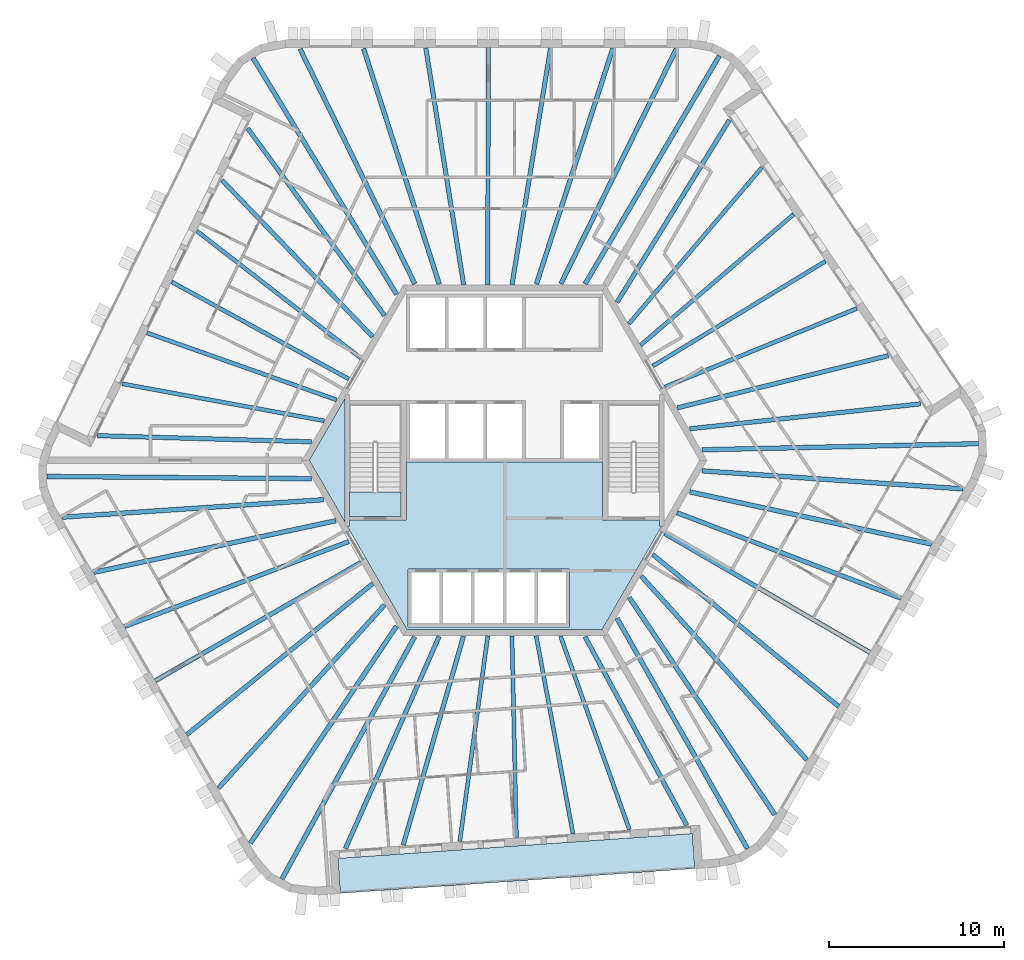
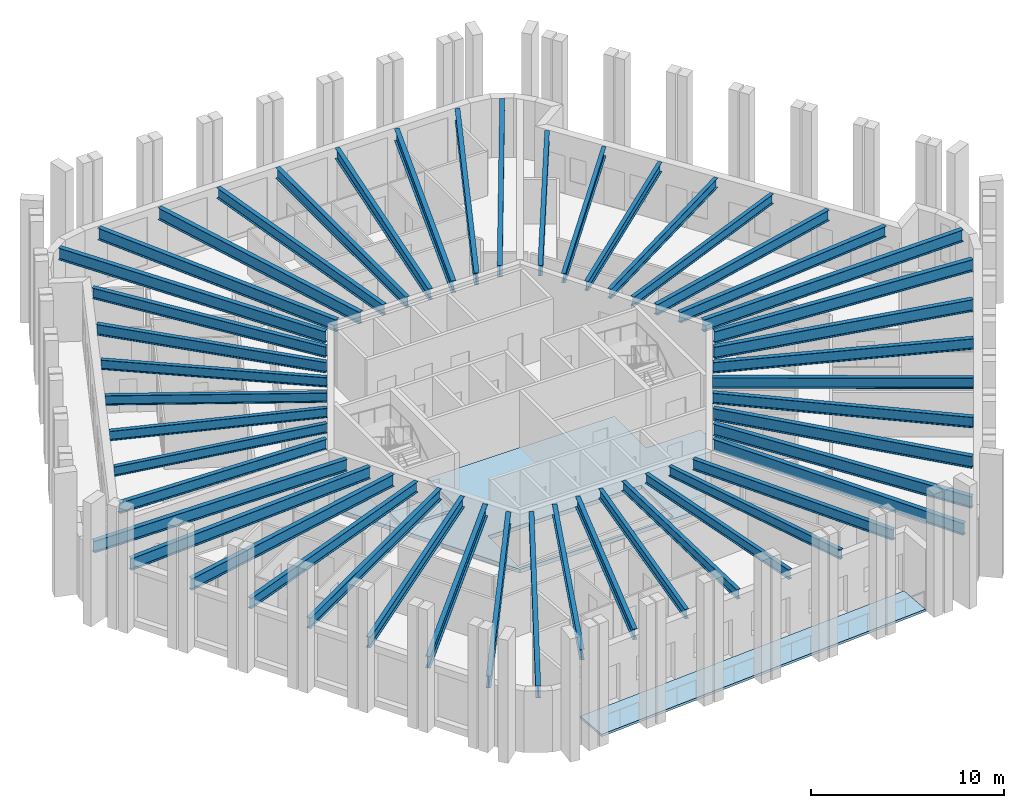
# One storey, part 1 of 12: 48 beams, 4 slabs.
"""IFC4 building model written with IfcOpenShell, lengths in metres."""

from ifc_helpers import new_model, si_unit, direction, frame, origin, origin_2d, place, context, subcontext, project, spatial, polyline, i_section, outline, extrude, material, layer, layer_set, material_profile, profile_set, type_object, element, save


model = new_model("IFC4")

# Units and contexts
model_context = context("Model", 3, precision=1e-05, world=origin(), true_north=direction((0.0, 1.0)))
body_context = subcontext(model_context, "Body", "Model", "MODEL_VIEW")
ifc_project = project(units=[si_unit("LENGTHUNIT", "METRE"), si_unit("AREAUNIT", "SQUARE_METRE"), si_unit("VOLUMEUNIT", "CUBIC_METRE"), si_unit("PLANEANGLEUNIT", "RADIAN"), si_unit("MASSUNIT", "GRAM", prefix="KILO")], contexts=[model_context])

# Site, building, storey
site_placement = place(None, origin())
site = spatial("IfcSite", under=ifc_project, at=site_placement, CompositionType="ELEMENT")
building_placement = place(site_placement, origin())
building = spatial("IfcBuilding", under=site, at=building_placement, Name="Tarnside Tower", CompositionType="ELEMENT")
storey_placement = place(building_placement, frame((0.0, 0.0, 361.199951171875)))
storey = spatial("IfcBuildingStorey", under=building, at=storey_placement, Name="L87", CompositionType="ELEMENT", Elevation=361.199951171875)

# Beams
ifc_material_1 = material(Name="Steel S355", Category="steel")
ifc_material_profile_1 = material_profile(ifc_material_1, i_section(OverallWidth=0.228271484375, OverallDepth=0.607666015625, WebThickness=0.010986328125, FlangeThickness=0.017333984375, FilletRadius=0.0126953125, at=origin_2d()), Name="UB 610x229x113")
ifc_profile_set_1 = profile_set([ifc_material_profile_1], Name="Steel S355")
beam_type_1 = type_object("IfcBeamType", Name="Floor beam UB 610x229x113", PredefinedType="BEAM", material=ifc_profile_set_1)
beam_1_placement = place(storey_placement, frame((-17.5537109375, 13.079345703125, 3.4462890625), z_axis=(0.790645071634, -0.612274750991, 0.0), x_axis=(0.612274750991, 0.790645071634, 0.0)))
element("IfcBeam", 1, at=beam_1_placement, inside=storey, type_object=beam_type_1, Name="Floor beam F2.03", PredefinedType="BEAM", context=body_context, shape_type="SweptSolid", body=[
    extrude(i_section(OverallWidth=0.228271484375, OverallDepth=0.607666015625, WebThickness=0.010986328125, FlangeThickness=0.017333984375, FilletRadius=0.0126953125, at=origin_2d()), origin(), (0.0, 0.0, 1.0), 11.829833984375),
])
beam_2_placement = place(storey_placement, frame((-18.98974609375, 10.1787109375, 3.4462890625), z_axis=(0.876798859106, -0.480857318412, 0.0), x_axis=(0.480857318412, 0.876798859106, 0.0)))
element("IfcBeam", 2, at=beam_2_placement, inside=storey, type_object=beam_type_1, Name="Floor beam F2.04", PredefinedType="BEAM", context=body_context, shape_type="SweptSolid", body=[
    extrude(i_section(OverallWidth=0.228271484375, OverallDepth=0.607666015625, WebThickness=0.010986328125, FlangeThickness=0.017333984375, FilletRadius=0.0126953125, at=origin_2d()), origin(), (0.0, 0.0, 1.0), 11.517578125),
])
beam_3_placement = place(storey_placement, frame((-20.408203125, 7.27099609375, 3.4462890625), z_axis=(0.942835979757, -0.33325713087, 0.0), x_axis=(0.33325713087, 0.942835979757, 0.0)))
element("IfcBeam", 3, at=beam_3_placement, inside=storey, type_object=beam_type_1, Name="Floor beam F2.05", PredefinedType="BEAM", context=body_context, shape_type="SweptSolid", body=[
    extrude(i_section(OverallWidth=0.228271484375, OverallDepth=0.607666015625, WebThickness=0.010986328125, FlangeThickness=0.017333984375, FilletRadius=0.0126953125, at=origin_2d()), origin(), (0.0, 0.0, 1.0), 11.4833984375),
])
beam_4_placement = place(storey_placement, frame((-21.80517578125, 4.3642578125, 3.4462890625), z_axis=(0.983583368825, -0.180454306048, 0.0), x_axis=(0.180454306048, 0.983583368825, 0.0)))
element("IfcBeam", 4, at=beam_4_placement, inside=storey, type_object=beam_type_1, Name="Floor beam F2.06", PredefinedType="BEAM", context=body_context, shape_type="SweptSolid", body=[
    extrude(i_section(OverallWidth=0.228271484375, OverallDepth=0.607666015625, WebThickness=0.010986328125, FlangeThickness=0.017333984375, FilletRadius=0.0126953125, at=origin_2d()), origin(), (0.0, 0.0, 1.0), 11.706787109375),
])
beam_5_placement = place(storey_placement, frame((-2.550048828125, -21.74169921875, 3.4462890625), z_axis=(0.134905991625, 0.990858402308, 0.0), x_axis=(-0.990858402308, 0.134905991625, 0.0)))
element("IfcBeam", 5, at=beam_5_placement, inside=storey, type_object=beam_type_1, Name="Floor beam F4.03", PredefinedType="BEAM", context=body_context, shape_type="SweptSolid", body=[
    extrude(i_section(OverallWidth=0.228271484375, OverallDepth=0.607666015625, WebThickness=0.010986328125, FlangeThickness=0.017333984375, FilletRadius=0.0126953125, at=origin_2d()), origin(), (0.0, 0.0, 1.0), 11.830078125),
])
beam_6_placement = place(storey_placement, frame((0.6796875, -21.53515625, 3.4462890625), z_axis=(-0.021959678074, 0.999758857195, 0.0), x_axis=(-0.999758857195, -0.021959678074, 0.0)))
element("IfcBeam", 6, at=beam_6_placement, inside=storey, type_object=beam_type_1, Name="Floor beam F4.04", PredefinedType="BEAM", context=body_context, shape_type="SweptSolid", body=[
    extrude(i_section(OverallWidth=0.228271484375, OverallDepth=0.607666015625, WebThickness=0.010986328125, FlangeThickness=0.017333984375, FilletRadius=0.0126953125, at=origin_2d()), origin(), (0.0, 0.0, 1.0), 11.517822265625),
])
beam_7_placement = place(storey_placement, frame((3.9072265625, -21.3095703125, 3.4462890625), z_axis=(-0.182818550439, 0.983146671466, 0.0), x_axis=(-0.983146671466, -0.182818550439, 0.0)))
element("IfcBeam", 7, at=beam_7_placement, inside=storey, type_object=beam_type_1, Name="Floor beam F4.05", PredefinedType="BEAM", context=body_context, shape_type="SweptSolid", body=[
    extrude(i_section(OverallWidth=0.228271484375, OverallDepth=0.607666015625, WebThickness=0.010986328125, FlangeThickness=0.017333984375, FilletRadius=0.0126953125, at=origin_2d()), origin(), (0.0, 0.0, 1.0), 11.4833984375),
])
beam_8_placement = place(storey_placement, frame((7.123046875, -21.06591796875, 3.4462890625), z_axis=(-0.335506617396, 0.94203784939, 0.0), x_axis=(-0.94203784939, -0.335506617396, 0.0)))
element("IfcBeam", 8, at=beam_8_placement, inside=storey, type_object=beam_type_1, Name="Floor beam F4.06", PredefinedType="BEAM", context=body_context, shape_type="SweptSolid", body=[
    extrude(i_section(OverallWidth=0.228271484375, OverallDepth=0.607666015625, WebThickness=0.010986328125, FlangeThickness=0.017333984375, FilletRadius=0.0126953125, at=origin_2d()), origin(), (0.0, 0.0, 1.0), 11.706787109375),
])
beam_9_placement = place(storey_placement, frame((20.10400390625, 8.662353515625, 3.4462890625), z_axis=(-0.925563720848, -0.378591862895, 0.0), x_axis=(0.378591862895, -0.925563720848, 0.0)))
element("IfcBeam", 9, at=beam_9_placement, inside=storey, type_object=beam_type_1, Name="Floor beam F6.03", PredefinedType="BEAM", context=body_context, shape_type="SweptSolid", body=[
    extrude(i_section(OverallWidth=0.228271484375, OverallDepth=0.607666015625, WebThickness=0.010986328125, FlangeThickness=0.017333984375, FilletRadius=0.0126953125, at=origin_2d()), origin(), (0.0, 0.0, 1.0), 11.830078125),
])
beam_10_placement = place(storey_placement, frame((18.31005859375, 11.356201171875, 3.4462890625), z_axis=(-0.854838892612, -0.518893503214, 0.0), x_axis=(0.518893503214, -0.854838892612, 0.0)))
element("IfcBeam", 10, at=beam_10_placement, inside=storey, type_object=beam_type_1, Name="Floor beam F6.04", PredefinedType="BEAM", context=body_context, shape_type="SweptSolid", body=[
    extrude(i_section(OverallWidth=0.228271484375, OverallDepth=0.607666015625, WebThickness=0.010986328125, FlangeThickness=0.017333984375, FilletRadius=0.0126953125, at=origin_2d()), origin(), (0.0, 0.0, 1.0), 11.517822265625),
])
beam_11_placement = place(storey_placement, frame((16.5009765625, 14.03857421875, 3.4462890625), z_axis=(-0.760013955451, -0.649906752942, 0.0), x_axis=(0.649906752942, -0.760013955451, 0.0)))
element("IfcBeam", 11, at=beam_11_placement, inside=storey, type_object=beam_type_1, Name="Floor beam F6.05", PredefinedType="BEAM", context=body_context, shape_type="SweptSolid", body=[
    extrude(i_section(OverallWidth=0.228271484375, OverallDepth=0.607666015625, WebThickness=0.010986328125, FlangeThickness=0.017333984375, FilletRadius=0.0126953125, at=origin_2d()), origin(), (0.0, 0.0, 1.0), 11.4833984375),
])
beam_12_placement = place(storey_placement, frame((14.68212890625, 16.70166015625, 3.4462890625), z_axis=(-0.648070250912, -0.761580560337, 0.0), x_axis=(0.761580560337, -0.648070250912, 0.0)))
element("IfcBeam", 12, at=beam_12_placement, inside=storey, type_object=beam_type_1, Name="Floor beam F6.06", PredefinedType="BEAM", context=body_context, shape_type="SweptSolid", body=[
    extrude(i_section(OverallWidth=0.228271484375, OverallDepth=0.607666015625, WebThickness=0.010986328125, FlangeThickness=0.017333984375, FilletRadius=0.0126953125, at=origin_2d()), origin(), (0.0, 0.0, 1.0), 11.70703125),
])
ifc_material_profile_2 = material_profile(ifc_material_1, i_section(OverallWidth=0.2529296875, OverallDepth=0.677978515625, WebThickness=0.01171875, FlangeThickness=0.01611328125, FilletRadius=0.01513671875, at=origin_2d()), Name="UB 686x254x125")
ifc_profile_set_2 = profile_set([ifc_material_profile_2], Name="Steel S355")
beam_type_2 = type_object("IfcBeamType", Name="Floor beam UB 686x254x125", PredefinedType="BEAM", material=ifc_profile_set_2)
beam_13_placement = place(storey_placement, frame((2.628662109375, 23.5302734375, 3.4111328125), z_axis=(-0.160646508519, -0.987012005652, 0.0), x_axis=(0.987012005652, -0.160646508519, 0.0)))
element("IfcBeam", 13, at=beam_13_placement, inside=storey, type_object=beam_type_2, Name="Floor beam F1.03", PredefinedType="BEAM", context=body_context, shape_type="SweptSolid", body=[
    extrude(i_section(OverallWidth=0.2529296875, OverallDepth=0.677978515625, WebThickness=0.01171875, FlangeThickness=0.01611328125, FilletRadius=0.01513671875, at=origin_2d()), origin(), (0.0, 0.0, 1.0), 13.688232421875),
])
beam_14_placement = place(storey_placement, frame((-0.931884765625, 23.550048828125, 3.4111328125), z_axis=(-0.001441413973, -0.999998961162, 0.0), x_axis=(0.999998961162, -0.001441413973, 0.0)))
element("IfcBeam", 14, at=beam_14_placement, inside=storey, type_object=beam_type_2, Name="Floor beam F1.04", PredefinedType="BEAM", context=body_context, shape_type="SweptSolid", body=[
    extrude(i_section(OverallWidth=0.2529296875, OverallDepth=0.677978515625, WebThickness=0.01171875, FlangeThickness=0.01611328125, FilletRadius=0.01513671875, at=origin_2d()), origin(), (0.0, 0.0, 1.0), 13.550048828125),
])
beam_15_placement = place(storey_placement, frame((-4.492431640625, 23.5302734375, 3.4111328125), z_axis=(0.157881934136, -0.987457996511, 0.0), x_axis=(0.987457996511, 0.157881934136, 0.0)))
element("IfcBeam", 15, at=beam_15_placement, inside=storey, type_object=beam_type_2, Name="Floor beam F1.05", PredefinedType="BEAM", context=body_context, shape_type="SweptSolid", body=[
    extrude(i_section(OverallWidth=0.2529296875, OverallDepth=0.677978515625, WebThickness=0.01171875, FlangeThickness=0.01611328125, FilletRadius=0.01513671875, at=origin_2d()), origin(), (0.0, 0.0, 1.0), 13.68212890625),
])
beam_16_placement = place(storey_placement, frame((-14.657470703125, 18.94580078125, 3.4111328125), z_axis=(0.590284711171, -0.807195118765, 0.0), x_axis=(0.807195118765, 0.590284711171, 0.0)))
element("IfcBeam", 16, at=beam_16_placement, inside=storey, type_object=beam_type_2, Name="Floor beam F2.01", PredefinedType="BEAM", context=body_context, shape_type="SweptSolid", body=[
    extrude(i_section(OverallWidth=0.2529296875, OverallDepth=0.677978515625, WebThickness=0.01171875, FlangeThickness=0.01611328125, FilletRadius=0.01513671875, at=origin_2d()), origin(), (0.0, 0.0, 1.0), 13.23974609375),
])
beam_17_placement = place(storey_placement, frame((-16.119873046875, 15.980224609375, 3.4111328125), z_axis=(0.693349119992, -0.720601830283, 0.0), x_axis=(0.720601830283, 0.693349119992, 0.0)))
element("IfcBeam", 17, at=beam_17_placement, inside=storey, type_object=beam_type_2, Name="Floor beam F2.02", PredefinedType="BEAM", context=body_context, shape_type="SweptSolid", body=[
    extrude(i_section(OverallWidth=0.2529296875, OverallDepth=0.677978515625, WebThickness=0.01171875, FlangeThickness=0.01611328125, FilletRadius=0.01513671875, at=origin_2d()), origin(), (0.0, 0.0, 1.0), 12.3984375),
])
beam_18_placement = place(storey_placement, frame((-23.22998046875, 1.406005859375, 3.4111328125), z_axis=(0.99958400974, -0.028841072664, 0.0), x_axis=(0.028841072664, 0.99958400974, 0.0)))
element("IfcBeam", 18, at=beam_18_placement, inside=storey, type_object=beam_type_2, Name="Floor beam F2.07", PredefinedType="BEAM", context=body_context, shape_type="SweptSolid", body=[
    extrude(i_section(OverallWidth=0.2529296875, OverallDepth=0.677978515625, WebThickness=0.01171875, FlangeThickness=0.01611328125, FilletRadius=0.01513671875, at=origin_2d()), origin(), (0.0, 0.0, 1.0), 12.215087890625),
])
beam_19_placement = place(storey_placement, frame((-21.692138671875, -9.48876953125, 3.4111328125), z_axis=(0.935097216102, 0.354391304124, 0.0), x_axis=(-0.354391304124, 0.935097216102, 0.0)))
element("IfcBeam", 19, at=beam_19_placement, inside=storey, type_object=beam_type_2, Name="Floor beam F3.03", PredefinedType="BEAM", context=body_context, shape_type="SweptSolid", body=[
    extrude(i_section(OverallWidth=0.2529296875, OverallDepth=0.677978515625, WebThickness=0.01171875, FlangeThickness=0.01611328125, FilletRadius=0.01513671875, at=origin_2d()), origin(), (0.0, 0.0, 1.0), 13.6884765625),
])
beam_20_placement = place(storey_placement, frame((-19.928955078125, -12.58203125, 3.4111328125), z_axis=(0.866745672107, 0.49875037833, 0.0), x_axis=(-0.49875037833, 0.866745672107, 0.0)))
element("IfcBeam", 20, at=beam_20_placement, inside=storey, type_object=beam_type_2, Name="Floor beam F3.04", PredefinedType="BEAM", context=body_context, shape_type="SweptSolid", body=[
    extrude(i_section(OverallWidth=0.2529296875, OverallDepth=0.677978515625, WebThickness=0.01171875, FlangeThickness=0.01611328125, FilletRadius=0.01513671875, at=origin_2d()), origin(), (0.0, 0.0, 1.0), 13.550048828125),
])
beam_21_placement = place(storey_placement, frame((-18.131591796875, -15.65576171875, 3.4111328125), z_axis=(0.77622369633, 0.630457590371, 0.0), x_axis=(-0.630457590371, 0.77622369633, 0.0)))
element("IfcBeam", 21, at=beam_21_placement, inside=storey, type_object=beam_type_2, Name="Floor beam F3.05", PredefinedType="BEAM", context=body_context, shape_type="SweptSolid", body=[
    extrude(i_section(OverallWidth=0.2529296875, OverallDepth=0.677978515625, WebThickness=0.01171875, FlangeThickness=0.01611328125, FilletRadius=0.01513671875, at=origin_2d()), origin(), (0.0, 0.0, 1.0), 13.68212890625),
])
beam_22_placement = place(storey_placement, frame((-9.078857421875, -22.16650390625, 3.4111328125), z_axis=(0.403913038749, 0.914797385834, 0.0), x_axis=(-0.914797385834, 0.403913038749, 0.0)))
element("IfcBeam", 22, at=beam_22_placement, inside=storey, type_object=beam_type_2, Name="Floor beam F4.01", PredefinedType="BEAM", context=body_context, shape_type="SweptSolid", body=[
    extrude(i_section(OverallWidth=0.2529296875, OverallDepth=0.677978515625, WebThickness=0.01171875, FlangeThickness=0.01611328125, FilletRadius=0.01513671875, at=origin_2d()), origin(), (0.0, 0.0, 1.0), 13.239501953125),
])
beam_23_placement = place(storey_placement, frame((-5.779296875, -21.9501953125, 3.4111328125), z_axis=(0.277391022539, 0.960757108022, 0.0), x_axis=(-0.960757108022, 0.277391022539, 0.0)))
element("IfcBeam", 23, at=beam_23_placement, inside=storey, type_object=beam_type_2, Name="Floor beam F4.02", PredefinedType="BEAM", context=body_context, shape_type="SweptSolid", body=[
    extrude(i_section(OverallWidth=0.2529296875, OverallDepth=0.677978515625, WebThickness=0.01171875, FlangeThickness=0.01611328125, FilletRadius=0.01513671875, at=origin_2d()), origin(), (0.0, 0.0, 1.0), 12.3984375),
])
beam_24_placement = place(storey_placement, frame((10.3974609375, -20.82080078125, 3.4111328125), z_axis=(-0.474802871876, 0.880092172933, 0.0), x_axis=(-0.880092172933, -0.474802871876, 0.0)))
element("IfcBeam", 24, at=beam_24_placement, inside=storey, type_object=beam_type_2, Name="Floor beam F4.07", PredefinedType="BEAM", context=body_context, shape_type="SweptSolid", body=[
    extrude(i_section(OverallWidth=0.2529296875, OverallDepth=0.677978515625, WebThickness=0.01171875, FlangeThickness=0.01611328125, FilletRadius=0.01513671875, at=origin_2d()), origin(), (0.0, 0.0, 1.0), 12.215087890625),
])
beam_25_placement = place(storey_placement, frame((19.0634765625, -14.04150390625, 3.4111328125), z_axis=(-0.774448963371, 0.632636390934, 0.0), x_axis=(-0.632636390934, -0.774448963371, 0.0)))
element("IfcBeam", 25, at=beam_25_placement, inside=storey, type_object=beam_type_2, Name="Floor beam F5.03", PredefinedType="BEAM", context=body_context, shape_type="SweptSolid", body=[
    extrude(i_section(OverallWidth=0.2529296875, OverallDepth=0.677978515625, WebThickness=0.01171875, FlangeThickness=0.01611328125, FilletRadius=0.01513671875, at=origin_2d()), origin(), (0.0, 0.0, 1.0), 13.688232421875),
])
beam_26_placement = place(storey_placement, frame((20.86083984375, -10.968017578125, 3.4111328125), z_axis=(-0.865300844595, 0.501252878639, 0.0), x_axis=(-0.501252878639, -0.865300844595, 0.0)))
element("IfcBeam", 26, at=beam_26_placement, inside=storey, type_object=beam_type_2, Name="Floor beam F5.04", PredefinedType="BEAM", context=body_context, shape_type="SweptSolid", body=[
    extrude(i_section(OverallWidth=0.2529296875, OverallDepth=0.677978515625, WebThickness=0.01171875, FlangeThickness=0.01611328125, FilletRadius=0.01513671875, at=origin_2d()), origin(), (0.0, 0.0, 1.0), 13.550048828125),
])
beam_27_placement = place(storey_placement, frame((22.6240234375, -7.87451171875, 3.4111328125), z_axis=(-0.934104171069, 0.357000556851, 0.0), x_axis=(-0.357000556851, -0.934104171069, 0.0)))
element("IfcBeam", 27, at=beam_27_placement, inside=storey, type_object=beam_type_2, Name="Floor beam F5.05", PredefinedType="BEAM", context=body_context, shape_type="SweptSolid", body=[
    extrude(i_section(OverallWidth=0.2529296875, OverallDepth=0.677978515625, WebThickness=0.01171875, FlangeThickness=0.01611328125, FilletRadius=0.01513671875, at=origin_2d()), origin(), (0.0, 0.0, 1.0), 13.68212890625),
])
beam_28_placement = place(storey_placement, frame((23.736083984375, 3.220703125, 3.4111328125), z_axis=(-0.994194525567, -0.107597608396, 0.0), x_axis=(0.107597608396, -0.994194525567, 0.0)))
element("IfcBeam", 28, at=beam_28_placement, inside=storey, type_object=beam_type_2, Name="Floor beam F6.01", PredefinedType="BEAM", context=body_context, shape_type="SweptSolid", body=[
    extrude(i_section(OverallWidth=0.2529296875, OverallDepth=0.677978515625, WebThickness=0.01171875, FlangeThickness=0.01611328125, FilletRadius=0.01513671875, at=origin_2d()), origin(), (0.0, 0.0, 1.0), 13.23974609375),
])
beam_29_placement = place(storey_placement, frame((21.899169921875, 5.969970703125, 3.4111328125), z_axis=(-0.970734945262, -0.240153421892, 0.0), x_axis=(0.240153421892, -0.970734945262, 0.0)))
element("IfcBeam", 29, at=beam_29_placement, inside=storey, type_object=beam_type_2, Name="Floor beam F6.02", PredefinedType="BEAM", context=body_context, shape_type="SweptSolid", body=[
    extrude(i_section(OverallWidth=0.2529296875, OverallDepth=0.677978515625, WebThickness=0.01171875, FlangeThickness=0.01611328125, FilletRadius=0.01513671875, at=origin_2d()), origin(), (0.0, 0.0, 1.0), 12.3984375),
])
beam_30_placement = place(storey_placement, frame((12.83251953125, 19.414794921875, 3.4111328125), z_axis=(-0.524775269126, -0.851240810179, 0.0), x_axis=(0.851240810179, -0.524775269126, 0.0)))
element("IfcBeam", 30, at=beam_30_placement, inside=storey, type_object=beam_type_2, Name="Floor beam F6.07", PredefinedType="BEAM", context=body_context, shape_type="SweptSolid", body=[
    extrude(i_section(OverallWidth=0.2529296875, OverallDepth=0.677978515625, WebThickness=0.01171875, FlangeThickness=0.01611328125, FilletRadius=0.01513671875, at=origin_2d()), origin(), (0.0, 0.0, 1.0), 12.215087890625),
])
ifc_material_profile_3 = material_profile(ifc_material_1, i_section(OverallWidth=0.26513671875, OverallDepth=0.75390625, WebThickness=0.0126953125, FlangeThickness=0.017578125, FilletRadius=0.0166015625, at=origin_2d()), Name="UB 762x267x147")
ifc_profile_set_3 = profile_set([ifc_material_profile_3], Name="Steel S355")
beam_type_3 = type_object("IfcBeamType", Name="Floor beam UB 762x267x147", PredefinedType="BEAM", material=ifc_profile_set_3)
beam_31_placement = place(storey_placement, frame((9.805419921875, 23.478271484375, 3.373046875), z_axis=(-0.441038082116, -0.897488389966, 0.0), x_axis=(0.897488389966, -0.441038082116, 0.0)))
element("IfcBeam", 31, at=beam_31_placement, inside=storey, type_object=beam_type_3, Name="Floor beam F1.01", PredefinedType="BEAM", context=body_context, shape_type="SweptSolid", body=[
    extrude(i_section(OverallWidth=0.26513671875, OverallDepth=0.75390625, WebThickness=0.0126953125, FlangeThickness=0.017578125, FilletRadius=0.0166015625, at=origin_2d()), origin(), (0.0, 0.0, 1.0), 14.937744140625),
])
beam_32_placement = place(storey_placement, frame((6.177001953125, 23.492919921875, 3.373046875), z_axis=(-0.308308550255, -0.951286412097, 0.0), x_axis=(0.951286412097, -0.308308550255, 0.0)))
element("IfcBeam", 32, at=beam_32_placement, inside=storey, type_object=beam_type_3, Name="Floor beam F1.02", PredefinedType="BEAM", context=body_context, shape_type="SweptSolid", body=[
    extrude(i_section(OverallWidth=0.26513671875, OverallDepth=0.75390625, WebThickness=0.0126953125, FlangeThickness=0.017578125, FilletRadius=0.0166015625, at=origin_2d()), origin(), (0.0, 0.0, 1.0), 14.123779296875),
])
beam_33_placement = place(storey_placement, frame((-8.041015625, 23.492919921875, 3.373046875), z_axis=(0.305833892652, -0.952084885977, 0.0), x_axis=(0.952084885977, 0.305833892652, 0.0)))
element("IfcBeam", 33, at=beam_33_placement, inside=storey, type_object=beam_type_3, Name="Floor beam F1.06", PredefinedType="BEAM", context=body_context, shape_type="SweptSolid", body=[
    extrude(i_section(OverallWidth=0.26513671875, OverallDepth=0.75390625, WebThickness=0.0126953125, FlangeThickness=0.017578125, FilletRadius=0.0166015625, at=origin_2d()), origin(), (0.0, 0.0, 1.0), 14.112060546875),
])
beam_34_placement = place(storey_placement, frame((-11.66943359375, 23.47802734375, 3.373046875), z_axis=(0.438980621391, -0.898496529789, 0.0), x_axis=(0.898496529789, 0.438980621391, 0.0)))
element("IfcBeam", 34, at=beam_34_placement, inside=storey, type_object=beam_type_3, Name="Floor beam F1.07", PredefinedType="BEAM", context=body_context, shape_type="SweptSolid", body=[
    extrude(i_section(OverallWidth=0.26513671875, OverallDepth=0.75390625, WebThickness=0.0126953125, FlangeThickness=0.017578125, FilletRadius=0.0166015625, at=origin_2d()), origin(), (0.0, 0.0, 1.0), 14.92041015625),
])
beam_35_placement = place(storey_placement, frame((-14.346435546875, 22.95361328125, 3.373046875), z_axis=(0.519050027983, -0.854743861312, 0.0), x_axis=(0.854743861312, 0.519050027983, 0.0)))
element("IfcBeam", 35, at=beam_35_placement, inside=storey, type_object=beam_type_3, Name="Floor beam C1", PredefinedType="BEAM", context=body_context, shape_type="SweptSolid", body=[
    extrude(i_section(OverallWidth=0.26513671875, OverallDepth=0.75390625, WebThickness=0.0126953125, FlangeThickness=0.017578125, FilletRadius=0.0166015625, at=origin_2d()), origin(), (0.0, 0.0, 1.0), 15.77294921875),
])
beam_36_placement = place(storey_placement, frame((-26.115234375, -0.922607421875, 3.373046875), z_axis=(0.99996409039, -0.008474546068, 0.0), x_axis=(0.008474546068, 0.99996409039, 0.0)))
element("IfcBeam", 36, at=beam_36_placement, inside=storey, type_object=beam_type_3, Name="Floor beam C2", PredefinedType="BEAM", context=body_context, shape_type="SweptSolid", body=[
    extrude(i_section(OverallWidth=0.26513671875, OverallDepth=0.75390625, WebThickness=0.0126953125, FlangeThickness=0.017578125, FilletRadius=0.0166015625, at=origin_2d()), origin(), (0.0, 0.0, 1.0), 15.095703125),
])
beam_37_placement = place(storey_placement, frame((-25.2353515625, -3.247314453125, 3.373046875), z_axis=(0.997767622241, 0.066781524448, 0.0), x_axis=(-0.066781524448, 0.997767622241, 0.0)))
element("IfcBeam", 37, at=beam_37_placement, inside=storey, type_object=beam_type_3, Name="Floor beam F3.01", PredefinedType="BEAM", context=body_context, shape_type="SweptSolid", body=[
    extrude(i_section(OverallWidth=0.26513671875, OverallDepth=0.75390625, WebThickness=0.0126953125, FlangeThickness=0.017578125, FilletRadius=0.0166015625, at=origin_2d()), origin(), (0.0, 0.0, 1.0), 14.937744140625),
])
beam_38_placement = place(storey_placement, frame((-23.43408203125, -6.39697265625, 3.373046875), z_axis=(0.977992742368, 0.208638912658, 0.0), x_axis=(-0.208638912658, 0.977992742368, 0.0)))
element("IfcBeam", 38, at=beam_38_placement, inside=storey, type_object=beam_type_3, Name="Floor beam F3.02", PredefinedType="BEAM", context=body_context, shape_type="SweptSolid", body=[
    extrude(i_section(OverallWidth=0.26513671875, OverallDepth=0.75390625, WebThickness=0.0126953125, FlangeThickness=0.017578125, FilletRadius=0.0166015625, at=origin_2d()), origin(), (0.0, 0.0, 1.0), 14.123779296875),
])
beam_39_placement = place(storey_placement, frame((-16.324951171875, -18.710205078125, 3.373046875), z_axis=(0.671613814762, 0.740901399526, 0.0), x_axis=(-0.740901399526, 0.671613814762, 0.0)))
element("IfcBeam", 39, at=beam_39_placement, inside=storey, type_object=beam_type_3, Name="Floor beam F3.06", PredefinedType="BEAM", context=body_context, shape_type="SweptSolid", body=[
    extrude(i_section(OverallWidth=0.26513671875, OverallDepth=0.75390625, WebThickness=0.0126953125, FlangeThickness=0.017578125, FilletRadius=0.0166015625, at=origin_2d()), origin(), (0.0, 0.0, 1.0), 14.112060546875),
])
beam_40_placement = place(storey_placement, frame((-14.497802734375, -21.84521484375, 3.373046875), z_axis=(0.558632311738, 0.829415420813, 0.0), x_axis=(-0.829415420813, 0.558632311738, 0.0)))
element("IfcBeam", 40, at=beam_40_placement, inside=storey, type_object=beam_type_3, Name="Floor beam F3.07", PredefinedType="BEAM", context=body_context, shape_type="SweptSolid", body=[
    extrude(i_section(OverallWidth=0.26513671875, OverallDepth=0.75390625, WebThickness=0.0126953125, FlangeThickness=0.017578125, FilletRadius=0.0166015625, at=origin_2d()), origin(), (0.0, 0.0, 1.0), 14.920654296875),
])
beam_41_placement = place(storey_placement, frame((-12.705322265625, -23.9013671875, 3.373046875), z_axis=(0.480710922029, 0.876879130463, 0.0), x_axis=(-0.876879130463, 0.480710922029, 0.0)))
element("IfcBeam", 41, at=beam_41_placement, inside=storey, type_object=beam_type_3, Name="Floor beam C3", PredefinedType="BEAM", context=body_context, shape_type="SweptSolid", body=[
    extrude(i_section(OverallWidth=0.26513671875, OverallDepth=0.75390625, WebThickness=0.0126953125, FlangeThickness=0.017578125, FilletRadius=0.0166015625, at=origin_2d()), origin(), (0.0, 0.0, 1.0), 15.77294921875),
])
beam_42_placement = place(storey_placement, frame((13.856689453125, -22.155029296875, 3.373046875), z_axis=(-0.492642822233, 0.870231606931, 0.0), x_axis=(-0.870231606931, -0.492642822233, 0.0)))
element("IfcBeam", 42, at=beam_42_placement, inside=storey, type_object=beam_type_3, Name="Floor beam C4", PredefinedType="BEAM", context=body_context, shape_type="SweptSolid", body=[
    extrude(i_section(OverallWidth=0.26513671875, OverallDepth=0.75390625, WebThickness=0.0126953125, FlangeThickness=0.017578125, FilletRadius=0.0166015625, at=origin_2d()), origin(), (0.0, 0.0, 1.0), 15.095703125),
])
beam_43_placement = place(storey_placement, frame((15.429931640625, -20.23095703125, 3.373046875), z_axis=(-0.556705108381, 0.830710191524, 0.0), x_axis=(-0.830710191524, -0.556705108381, 0.0)))
element("IfcBeam", 43, at=beam_43_placement, inside=storey, type_object=beam_type_3, Name="Floor beam F5.01", PredefinedType="BEAM", context=body_context, shape_type="SweptSolid", body=[
    extrude(i_section(OverallWidth=0.26513671875, OverallDepth=0.75390625, WebThickness=0.0126953125, FlangeThickness=0.017578125, FilletRadius=0.0166015625, at=origin_2d()), origin(), (0.0, 0.0, 1.0), 14.937744140625),
])
beam_44_placement = place(storey_placement, frame((17.257080078125, -17.095947265625, 3.373046875), z_axis=(-0.669693076209, 0.742637989654, 0.0), x_axis=(-0.742637989654, -0.669693076209, 0.0)))
element("IfcBeam", 44, at=beam_44_placement, inside=storey, type_object=beam_type_3, Name="Floor beam F5.02", PredefinedType="BEAM", context=body_context, shape_type="SweptSolid", body=[
    extrude(i_section(OverallWidth=0.26513671875, OverallDepth=0.75390625, WebThickness=0.0126953125, FlangeThickness=0.017578125, FilletRadius=0.0166015625, at=origin_2d()), origin(), (0.0, 0.0, 1.0), 14.1240234375),
])
beam_45_placement = place(storey_placement, frame((24.365966796875, -4.78271484375, 3.373046875), z_axis=(-0.977446315909, 0.211184041811, 0.0), x_axis=(-0.211184041811, -0.977446315909, 0.0)))
element("IfcBeam", 45, at=beam_45_placement, inside=storey, type_object=beam_type_3, Name="Floor beam F5.06", PredefinedType="BEAM", context=body_context, shape_type="SweptSolid", body=[
    extrude(i_section(OverallWidth=0.26513671875, OverallDepth=0.75390625, WebThickness=0.0126953125, FlangeThickness=0.017578125, FilletRadius=0.0166015625, at=origin_2d()), origin(), (0.0, 0.0, 1.0), 14.112060546875),
])
beam_46_placement = place(storey_placement, frame((26.16748046875, -1.633056640625, 3.373046875), z_axis=(-0.99760979709, 0.069099151587, 0.0), x_axis=(-0.069099151587, -0.99760979709, 0.0)))
element("IfcBeam", 46, at=beam_46_placement, inside=storey, type_object=beam_type_3, Name="Floor beam F5.07", PredefinedType="BEAM", context=body_context, shape_type="SweptSolid", body=[
    extrude(i_section(OverallWidth=0.26513671875, OverallDepth=0.75390625, WebThickness=0.0126953125, FlangeThickness=0.017578125, FilletRadius=0.0166015625, at=origin_2d()), origin(), (0.0, 0.0, 1.0), 14.920654296875),
])
beam_47_placement = place(storey_placement, frame((27.0517578125, 0.947509765625, 3.373046875), z_axis=(-0.999755015591, -0.022133883549, 0.0), x_axis=(0.022133883549, -0.999755015591, 0.0)))
element("IfcBeam", 47, at=beam_47_placement, inside=storey, type_object=beam_type_3, Name="Floor beam C5", PredefinedType="BEAM", context=body_context, shape_type="SweptSolid", body=[
    extrude(i_section(OverallWidth=0.26513671875, OverallDepth=0.75390625, WebThickness=0.0126953125, FlangeThickness=0.017578125, FilletRadius=0.0166015625, at=origin_2d()), origin(), (0.0, 0.0, 1.0), 15.773193359375),
])
beam_48_placement = place(storey_placement, frame((12.258544921875, 23.07763671875, 3.373046875), z_axis=(-0.507326131491, -0.861754139129, 0.0), x_axis=(0.861754139129, -0.507326131491, 0.0)))
element("IfcBeam", 48, at=beam_48_placement, inside=storey, type_object=beam_type_3, Name="Floor beam C6", PredefinedType="BEAM", context=body_context, shape_type="SweptSolid", body=[
    extrude(i_section(OverallWidth=0.26513671875, OverallDepth=0.75390625, WebThickness=0.0126953125, FlangeThickness=0.017578125, FilletRadius=0.0166015625, at=origin_2d()), origin(), (0.0, 0.0, 1.0), 15.095703125),
])

# Slabs
ifc_material_2 = material(Name="Concrete C40/50", Category="concrete")
ifc_layer_1 = layer(ifc_material_2, 0.25)
ifc_layer_set_1 = layer_set([ifc_layer_1], Name="Core slab C40/50")
slab_type_1 = type_object("IfcSlabType", Name="Core slab C40/50", PredefinedType="FLOOR", material=ifc_layer_set_1)
slab_1_placement = place(storey_placement, frame((0.0, 0.0, -0.25)))
element("IfcSlab", 49, at=slab_1_placement, inside=storey, type_object=slab_type_1, Name="L87 core floor slab 2", PredefinedType="FLOOR", context=body_context, shape_type="SweptSolid", body=[
    extrude(outline(polyline([(-9.10009765625, -3.538330078125), (-11.142822265625, 0.0), (-9.10009765625, 3.538330078125), (-9.10009765625, -3.538330078125)])), origin(), (0.0, 0.0, 1.0), 0.25),
])
slab_2_placement = place(storey_placement, frame((0.0, 0.0, -0.25)))
element("IfcSlab", 50, at=slab_2_placement, inside=storey, type_object=slab_type_1, Name="L87 core floor slab 3", PredefinedType="FLOOR", context=body_context, shape_type="SweptSolid", body=[
    extrude(outline(polyline([(-8.85009765625, -3.7548828125), (-8.85009765625, -3.39990234375), (-5.89990234375, -3.39990234375), (-5.60009765625, -3.39990234375), (-5.60009765625, -0.10009765625), (5.60009765625, -0.10009765625), (5.60009765625, -3.39990234375), (5.89990234375, -3.39990234375), (8.85009765625, -3.39990234375), (8.85009765625, -3.7548828125), (8.97509765625, -3.7548828125), (5.5712890625, -9.64990234375), (-5.5712890625, -9.64990234375), (-8.97509765625, -3.7548828125), (-8.85009765625, -3.7548828125)]), holes=[polyline([(-5.5, -9.5), (3.699951171875, -9.5), (3.699951171875, -9.300048828125), (3.699951171875, -6.39990234375), (3.699951171875, -6.199951171875), (-5.5, -6.199951171875), (-5.5, -6.39990234375), (-5.5, -9.300048828125), (-5.5, -9.5)])]), origin(), (0.0, 0.0, 1.0), 0.25),
])
slab_3_placement = place(storey_placement, frame((0.0, 0.0, -0.25)))
element("IfcSlab", 51, at=slab_3_placement, inside=storey, type_object=slab_type_1, Name="L87 core floor slab 5", PredefinedType="FLOOR", context=body_context, shape_type="SweptSolid", body=[
    extrude(outline(polyline([(-8.85009765625, -3.199951171875), (-8.85009765625, -1.800048828125), (-5.89990234375, -1.800048828125), (-5.89990234375, -3.199951171875), (-8.85009765625, -3.199951171875)])), origin(), (0.0, 0.0, 1.0), 0.25),
])
ifc_material_3 = material(Name="Timber decking", Category="wood")
ifc_layer_2 = layer(ifc_material_3, 0.0400390625)
ifc_material_4 = material(Name="Concrete C60/75 precast", Category="concrete")
ifc_layer_3 = layer(ifc_material_4, 0.110107421875)
ifc_layer_set_2 = layer_set([ifc_layer_2, ifc_layer_3], Name="Loggia deck 150")
slab_type_2 = type_object("IfcSlabType", Name="Loggia deck 150", PredefinedType="FLOOR", material=ifc_layer_set_2)
slab_4_placement = place(storey_placement, frame((0.0, 0.0, -0.14990234375)))
element("IfcSlab", 52, at=slab_4_placement, inside=storey, type_object=slab_type_2, Name="Loggia deck L87 F4", PredefinedType="FLOOR", context=body_context, shape_type="SweptSolid", body=[
    extrude(outline(polyline([(-9.5107421875, -22.71875), (10.721435546875, -21.303955078125), (10.86083984375, -23.299072265625), (-9.371337890625, -24.7138671875), (-9.5107421875, -22.71875)])), origin(), (0.0, 0.0, 1.0), 0.14990234375),
])

save(model, "model.ifc")
